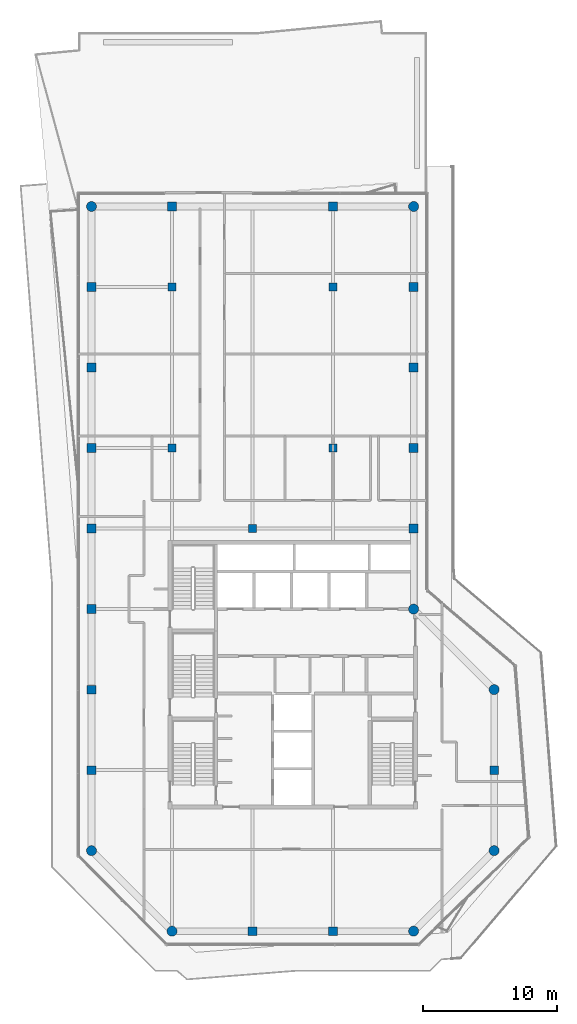
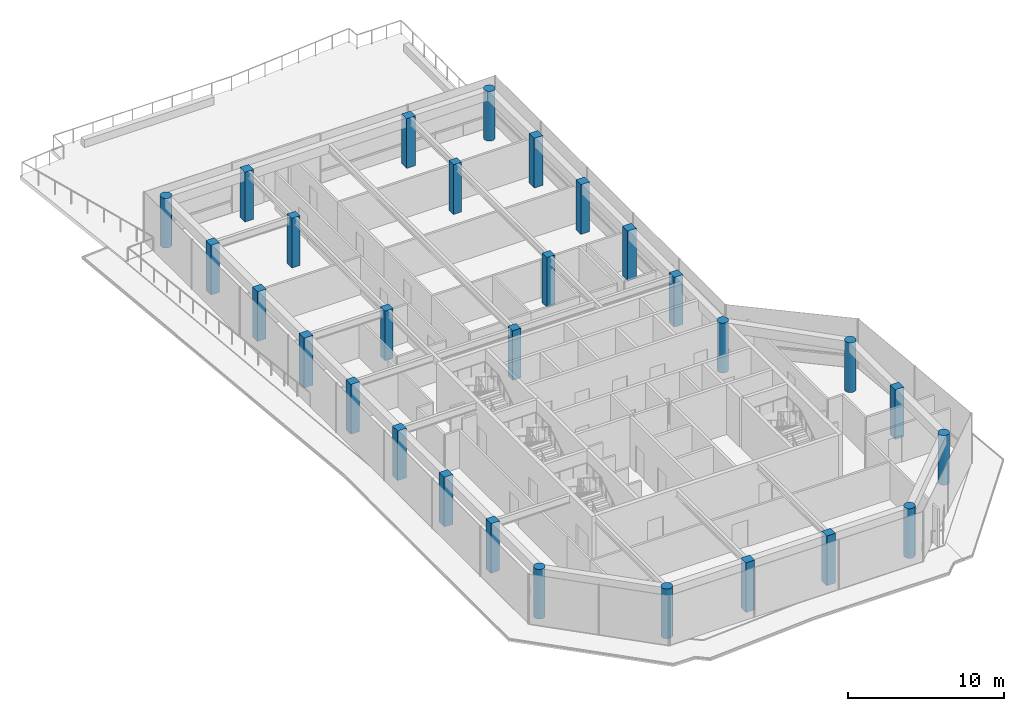
# One storey, part 1 of 20: 29 columns.
"""IFC4 building model written with IfcOpenShell, lengths in metres."""

from ifc_helpers import new_model, si_unit, direction, frame, origin, origin_2d, place, context, subcontext, project, spatial, rectangle, circle, extrude, material, material_profile, profile_set, type_object, element, save


model = new_model("IFC4")

# Units and contexts
model_context = context("Model", 3, precision=1e-05, world=origin(), true_north=direction((0.0, 1.0)))
body_context = subcontext(model_context, "Body", "Model", "MODEL_VIEW")
ifc_project = project(units=[si_unit("LENGTHUNIT", "METRE"), si_unit("AREAUNIT", "SQUARE_METRE"), si_unit("VOLUMEUNIT", "CUBIC_METRE"), si_unit("PLANEANGLEUNIT", "RADIAN"), si_unit("MASSUNIT", "GRAM", prefix="KILO")], contexts=[model_context])

# Site, building, storey
site_placement = place(None, origin())
site = spatial("IfcSite", under=ifc_project, at=site_placement, CompositionType="ELEMENT")
building_placement = place(site_placement, origin())
building = spatial("IfcBuilding", under=site, at=building_placement, Name="Welwitschia Terrace Campus", CompositionType="ELEMENT")
storey_placement = place(building_placement, frame((0.0, 0.0, 314.60009765625)))
storey = spatial("IfcBuildingStorey", under=building, at=storey_placement, Name="L70", CompositionType="ELEMENT", Elevation=314.60009765625)

# Columns
ifc_material_1 = material(Name="Concrete C40/50", Category="concrete")
ifc_material_profile_1 = material_profile(ifc_material_1, circle(Radius=0.375, at=origin_2d()))
ifc_profile_set_1 = profile_set([ifc_material_profile_1], Name="Concrete C40/50")
column_type_1 = type_object("IfcColumnType", Name="Corner column 750 dia", PredefinedType="COLUMN", material=ifc_profile_set_1)
for number, where, z_axis, x_axis, name in (
    (1, (0.0, 2.0, 0.0), (0.0, 0.0, 1.0), (1.0, 0.0, 0.0), "Column C44"),
    (2, (0.0, 50.0, 0.0), (0.0, 0.0, 1.0), (1.0, 0.0, 0.0), "Column C44"),
    (3, (6.0, -4.0, 0.0), (0.0, 0.0, 1.0), (1.0, 0.0, 0.0), "Column C44"),
    (4, (24.0, -4.0, 0.0), (0.0, 0.0, 1.0), (1.0, 0.0, 0.0), "Column C44"),
    (5, (24.0, 20.0, 0.0), (0.0, 0.0, 1.0), (1.0, 0.0, 0.0), "Column C44"),
    (6, (24.0, 50.0, 0.0), (0.0, 0.0, 1.0), (1.0, 0.0, 0.0), "Column C44"),
    (7, (30.0, 2.0, 0.0), (0.0, 0.0, 1.0), (1.0, 0.0, 0.0), "Column C44"),
    (8, (30.0, 14.0, 0.0), (0.0, 0.0, 1.0), (1.0, 0.0, 0.0), "Column C44"),
):
    element("IfcColumn", number, at=place(storey_placement, frame(where, z_axis=z_axis, x_axis=x_axis)), inside=storey, type_object=column_type_1, Name=name, PredefinedType="COLUMN", context=body_context, shape_type="SweptSolid", body=[
        extrude(circle(Radius=0.375, at=origin_2d()), origin(), (0.0, 0.0, 1.0), 3.89990234375),
    ])
ifc_material_2 = material(Name="Concrete C40/50", Category="concrete")
ifc_material_profile_2 = material_profile(ifc_material_2, rectangle(XDim=0.60009765625, YDim=0.60009765625, at=origin_2d()))
ifc_profile_set_2 = profile_set([ifc_material_profile_2], Name="Concrete C40/50")
column_type_2 = type_object("IfcColumnType", Name="Interior column 600x600", PredefinedType="COLUMN", material=ifc_profile_set_2)
for number, where, z_axis, x_axis, name in (
    (9, (6.0, 32.0, 0.0), (0.0, 0.0, 1.0), (1.0, 0.0, 0.0), "Column C46"),
    (10, (6.0, 44.0, 0.0), (0.0, 0.0, 1.0), (1.0, 0.0, 0.0), "Column C46"),
    (11, (12.0, 26.0, 0.0), (0.0, 0.0, 1.0), (1.0, 0.0, 0.0), "Column C46"),
    (12, (18.0, 32.0, 0.0), (0.0, 0.0, 1.0), (1.0, 0.0, 0.0), "Column C46"),
    (13, (18.0, 44.0, 0.0), (0.0, 0.0, 1.0), (1.0, 0.0, 0.0), "Column C46"),
):
    element("IfcColumn", number, at=place(storey_placement, frame(where, z_axis=z_axis, x_axis=x_axis)), inside=storey, type_object=column_type_2, Name=name, PredefinedType="COLUMN", context=body_context, shape_type="SweptSolid", body=[
        extrude(rectangle(XDim=0.60009765625, YDim=0.60009765625, at=origin_2d()), origin(), (0.0, 0.0, 1.0), 3.89990234375),
    ])
ifc_material_3 = material(Name="Concrete C40/50", Category="concrete")
ifc_material_profile_3 = material_profile(ifc_material_3, rectangle(XDim=0.64990234375, YDim=0.64990234375, at=origin_2d()))
ifc_profile_set_3 = profile_set([ifc_material_profile_3], Name="Concrete C40/50")
column_type_3 = type_object("IfcColumnType", Name="Ring column 650x650", PredefinedType="COLUMN", material=ifc_profile_set_3)
for number, where, z_axis, x_axis, name in (
    (14, (0.0, 8.0, 0.0), (0.0, 0.0, 1.0), (1.0, 0.0, 0.0), "Column C45"),
    (15, (0.0, 14.0, 0.0), (0.0, 0.0, 1.0), (1.0, 0.0, 0.0), "Column C45"),
    (16, (0.0, 20.0, 0.0), (0.0, 0.0, 1.0), (1.0, 0.0, 0.0), "Column C45"),
    (17, (0.0, 26.0, 0.0), (0.0, 0.0, 1.0), (1.0, 0.0, 0.0), "Column C45"),
    (18, (0.0, 32.0, 0.0), (0.0, 0.0, 1.0), (1.0, 0.0, 0.0), "Column C45"),
    (19, (0.0, 38.0, 0.0), (0.0, 0.0, 1.0), (1.0, 0.0, 0.0), "Column C45"),
    (20, (0.0, 44.0, 0.0), (0.0, 0.0, 1.0), (1.0, 0.0, 0.0), "Column C45"),
    (21, (6.0, 50.0, 0.0), (0.0, 0.0, 1.0), (1.0, 0.0, 0.0), "Column C45"),
    (22, (12.0, -4.0, 0.0), (0.0, 0.0, 1.0), (1.0, 0.0, 0.0), "Column C45"),
    (23, (18.0, -4.0, 0.0), (0.0, 0.0, 1.0), (1.0, 0.0, 0.0), "Column C45"),
    (24, (18.0, 50.0, 0.0), (0.0, 0.0, 1.0), (1.0, 0.0, 0.0), "Column C45"),
    (25, (24.0, 26.0, 0.0), (0.0, 0.0, 1.0), (1.0, 0.0, 0.0), "Column C45"),
    (26, (24.0, 32.0, 0.0), (0.0, 0.0, 1.0), (1.0, 0.0, 0.0), "Column C45"),
    (27, (24.0, 38.0, 0.0), (0.0, 0.0, 1.0), (1.0, 0.0, 0.0), "Column C45"),
    (28, (24.0, 44.0, 0.0), (0.0, 0.0, 1.0), (1.0, 0.0, 0.0), "Column C45"),
    (29, (30.0, 8.0, 0.0), (0.0, 0.0, 1.0), (1.0, 0.0, 0.0), "Column C45"),
):
    element("IfcColumn", number, at=place(storey_placement, frame(where, z_axis=z_axis, x_axis=x_axis)), inside=storey, type_object=column_type_3, Name=name, PredefinedType="COLUMN", context=body_context, shape_type="SweptSolid", body=[
        extrude(rectangle(XDim=0.64990234375, YDim=0.64990234375, at=origin_2d()), origin(), (0.0, 0.0, 1.0), 3.89990234375),
    ])

save(model, "model.ifc")
